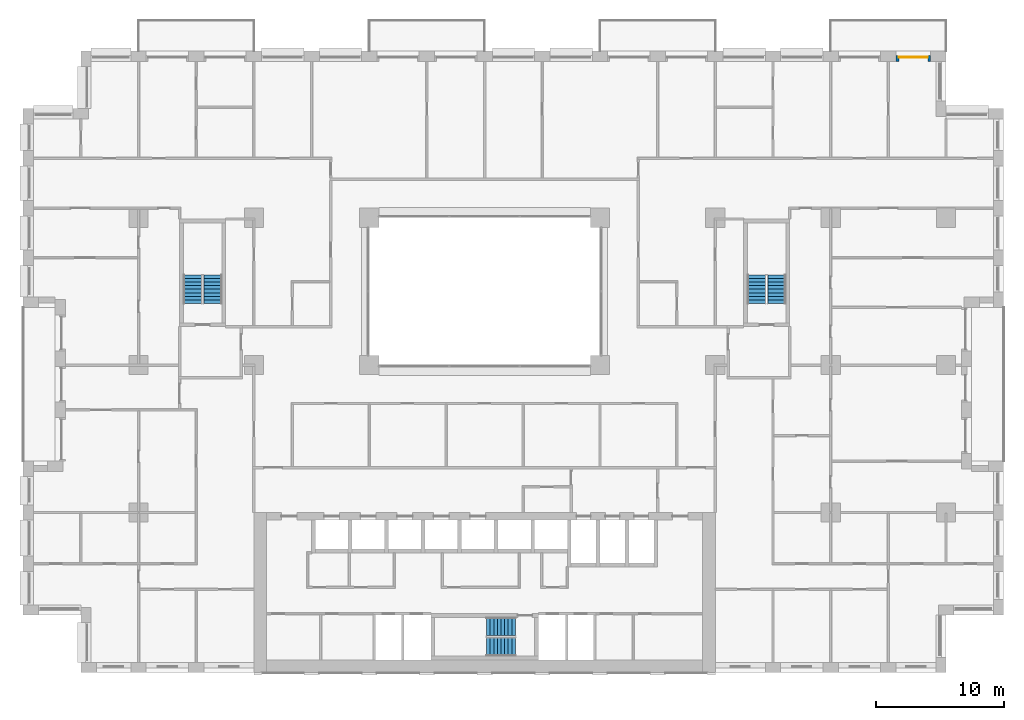
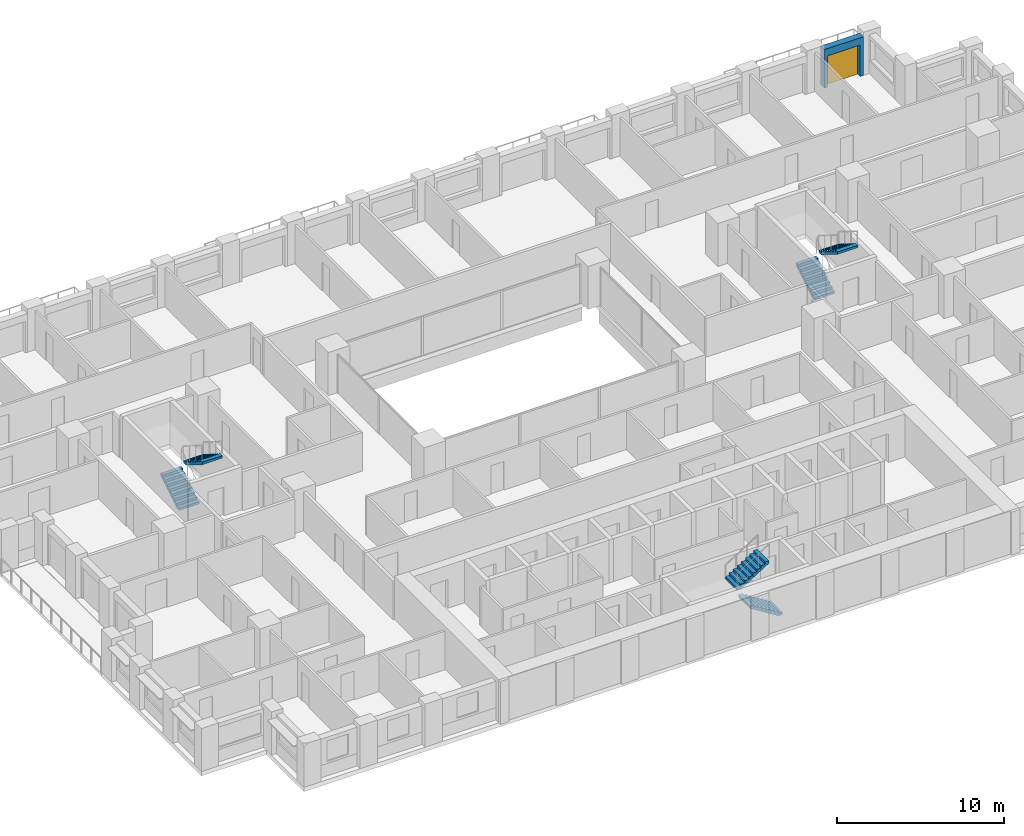
# One storey, part 17 of 19: 6 stair flights, 1 door, 1 wall, 1 opening, 3 elements without a shape of their own.
"""IFC4 building model written with IfcOpenShell, lengths in metres."""

from ifc_helpers import new_model, si_unit, direction, frame, frame_2d, origin, place, context, subcontext, project, spatial, polyline, rectangle, outline, extrude, material, layer, layer_set, type_object, element, fill, aggregate, save


model = new_model("IFC4")

# Units and contexts
model_context = context("Model", 3, precision=1e-05, world=origin(), true_north=direction((0.0, 1.0)))
body_context = subcontext(model_context, "Body", "Model", "MODEL_VIEW")
ifc_project = project(units=[si_unit("LENGTHUNIT", "METRE"), si_unit("AREAUNIT", "SQUARE_METRE"), si_unit("VOLUMEUNIT", "CUBIC_METRE"), si_unit("PLANEANGLEUNIT", "RADIAN"), si_unit("MASSUNIT", "GRAM", prefix="KILO")], contexts=[model_context])

# Site, building, storey
site_placement = place(None, origin())
site = spatial("IfcSite", under=ifc_project, at=site_placement, CompositionType="ELEMENT")
building_placement = place(site_placement, origin())
building = spatial("IfcBuilding", under=site, at=building_placement, Name="Brigalow Station Residences", CompositionType="ELEMENT")
storey_placement = place(building_placement, frame((0.0, 0.0, 22.64990234375)))
storey = spatial("IfcBuildingStorey", under=building, at=storey_placement, Name="L05", CompositionType="ELEMENT", Elevation=22.64990234375)

# Wall, opening, door
ifc_material_1 = material(Name="Clay brick masonry", Category="masonry")
ifc_layer = layer(ifc_material_1, 0.449951171875)
ifc_layer_set = layer_set([ifc_layer], Name="BRICK INFILL WALL 450")
wall_type = type_object("IfcWallType", Name="BRICK INFILL WALL 450", PredefinedType="SOLIDWALL", material=ifc_layer_set)
wall_placement = place(storey_placement, frame((70.800048828125, 47.925048828125, 0.0), z_axis=(0.0, 0.0, 1.0), x_axis=(-1.0, 0.0, 0.0)))
wall = element("IfcWall", 1, at=wall_placement, inside=storey, type_object=wall_type, Name="L05/ewall/W-L05-25", PredefinedType="SOLIDWALL", context=body_context, shape_type="SweptSolid", body=[
    extrude(rectangle(XDim=2.699951171875, YDim=0.449951171875, at=frame_2d((1.35009765625, 0.0))), origin(), (0.0, 0.0, 1.0), 2.830078125),
])
opening_placement = place(wall_placement, frame((0.22509765625, 0.0, 0.0)))
opening = element("IfcOpeningElement", 2, at=opening_placement, cuts=wall, Name="Opening D-B2250", PredefinedType="OPENING", context=body_context, shape_type="SweptSolid", body=[
    extrude(rectangle(XDim=2.25, YDim=2.300048828125, at=frame_2d((1.125, 1.14990234375))), frame((0.0, 0.23486328125, 0.0), z_axis=(0.0, -1.0, 0.0), x_axis=(1.0, 0.0, 0.0)), (0.0, 0.0, 1.0), 0.469970703125),
])
ifc_material_2 = material(Name="Anodised aluminium frame with double glazing", Category="aluminium")
door_type = type_object("IfcDoorType", Name="BALCONY SLIDING DOOR 2250x2300", OperationType="SLIDING_TO_LEFT", PredefinedType="DOOR", material=ifc_material_2)
door_placement = place(opening_placement, origin())
door = element("IfcDoor", 3, at=door_placement, inside=storey, type_object=door_type, Name="L05/balcony-door/W-L05-25", OperationType="SLIDING_TO_LEFT", OverallHeight=2.300048828125, OverallWidth=2.25, PredefinedType="DOOR", context=body_context, shape_type="SweptSolid", body=[
    extrude(rectangle(XDim=2.25, YDim=2.300048828125, at=frame_2d((1.125, 1.14990234375))), frame((0.0, -0.06982421875, 0.0), z_axis=(0.0, -1.0, 0.0), x_axis=(1.0, 0.0, 0.0)), (0.0, 0.0, 1.0), 0.050048828125),
])
fill(opening, door)

# Stair, stair flights
ifc_material_3 = material(Name="Concrete C50", Category="concrete")
stair_type = type_object("IfcStairType", Name="EXIT STAIR 1400 2 FLIGHT", PredefinedType="HALF_TURN_STAIR", material=ifc_material_3)
stair_1_placement = place(storey_placement, origin())
stair_1 = element("IfcStair", 4, at=stair_1_placement, inside=storey, type_object=stair_type, Name="EXIT STAIR S2 L05", PredefinedType="HALF_TURN_STAIR")
ifc_material_4 = material(Name="Concrete C50", Category="concrete")
stair_flight_type = type_object("IfcStairFlightType", Name="STAIR FLIGHT 1400", PredefinedType="STRAIGHT", material=ifc_material_4)
stair_flight_1_placement = place(storey_placement, frame((38.39990234375, 2.0, 0.0), z_axis=(0.0, 0.0, 1.0), x_axis=(-1.0, 0.0, 0.0)))
stair_flight_1 = element("IfcStairFlight", 5, at=stair_flight_1_placement, type_object=stair_flight_type, Name="ST-2 flight 1", NumberOfRisers=9, NumberOfTreads=8, PredefinedType="STRAIGHT", RiserHeight=0.175, TreadLength=0.28, context=body_context, shape_type="SweptSolid", body=[
    extrude(outline(polyline([(0.0, 0.0), (0.0, 0.175048828125), (0.280029296875, 0.175048828125), (0.280029296875, 0.35009765625), (0.56005859375, 0.35009765625), (0.56005859375, 0.52490234375), (0.840087890625, 0.52490234375), (0.840087890625, 0.699951171875), (1.1201171875, 0.699951171875), (1.1201171875, 0.875), (1.39990234375, 0.875), (1.39990234375, 1.050048828125), (1.679931640625, 1.050048828125), (1.679931640625, 1.22509765625), (1.9599609375, 1.22509765625), (1.9599609375, 1.39990234375), (2.239990234375, 1.39990234375), (2.239990234375, 1.574951171875), (2.239990234375, 1.22314453125), (0.28271484375, 0.0), (0.0, 0.0)])), frame((0.0, 0.699951171875, 0.0), z_axis=(0.0, -1.0, 0.0), x_axis=(1.0, 0.0, 0.0)), (0.0, 0.0, 1.0), 1.39990234375),
])
stair_flight_2_placement = place(storey_placement, frame((36.159912109375, 3.60009765625, 1.5751953125), z_axis=(0.0, 0.0, 1.0), x_axis=(1.0, 0.0, 0.0)))
stair_flight_2 = element("IfcStairFlight", 6, at=stair_flight_2_placement, type_object=stair_flight_type, Name="ST-2 flight 2", NumberOfRisers=9, NumberOfTreads=8, PredefinedType="STRAIGHT", RiserHeight=0.175, TreadLength=0.28, context=body_context, shape_type="SweptSolid", body=[
    extrude(outline(polyline([(0.0, 0.0), (0.0, 0.175048828125), (0.280029296875, 0.175048828125), (0.280029296875, 0.35009765625), (0.56005859375, 0.35009765625), (0.56005859375, 0.52490234375), (0.840087890625, 0.52490234375), (0.840087890625, 0.699951171875), (1.1201171875, 0.699951171875), (1.1201171875, 0.875), (1.39990234375, 0.875), (1.39990234375, 1.050048828125), (1.679931640625, 1.050048828125), (1.679931640625, 1.22509765625), (1.9599609375, 1.22509765625), (1.9599609375, 1.39990234375), (2.239990234375, 1.39990234375), (2.239990234375, 1.574951171875), (2.239990234375, 1.22314453125), (0.28271484375, 0.0), (0.0, 0.0)])), frame((0.0, 0.699951171875, 0.0), z_axis=(0.0, -1.0, 0.0), x_axis=(1.0, 0.0, 0.0)), (0.0, 0.0, 1.0), 1.39990234375),
])
aggregate(stair_1, [stair_flight_1, stair_flight_2])

stair_2_placement = place(storey_placement, origin())
stair_2 = element("IfcStair", 7, at=stair_2_placement, inside=storey, type_object=stair_type, Name="EXIT STAIR S1 L05", PredefinedType="HALF_TURN_STAIR")
stair_flight_3_placement = place(storey_placement, frame((13.199951171875, 28.800048828125, 0.0), z_axis=(0.0, 0.0, 1.0), x_axis=(0.0, 1.0, 0.0)))
stair_flight_3 = element("IfcStairFlight", 8, at=stair_flight_3_placement, type_object=stair_flight_type, Name="ST-1 flight 1", NumberOfRisers=9, NumberOfTreads=8, PredefinedType="STRAIGHT", RiserHeight=0.175, TreadLength=0.28, context=body_context, shape_type="SweptSolid", body=[
    extrude(outline(polyline([(0.0, 0.0), (0.0, 0.175048828125), (0.280029296875, 0.175048828125), (0.280029296875, 0.35009765625), (0.56005859375, 0.35009765625), (0.56005859375, 0.52490234375), (0.840087890625, 0.52490234375), (0.840087890625, 0.699951171875), (1.1201171875, 0.699951171875), (1.1201171875, 0.875), (1.39990234375, 0.875), (1.39990234375, 1.050048828125), (1.679931640625, 1.050048828125), (1.679931640625, 1.22509765625), (1.9599609375, 1.22509765625), (1.9599609375, 1.39990234375), (2.239990234375, 1.39990234375), (2.239990234375, 1.574951171875), (2.239990234375, 1.22314453125), (0.28271484375, 0.0), (0.0, 0.0)])), frame((0.0, 0.699951171875, 0.0), z_axis=(0.0, -1.0, 0.0), x_axis=(1.0, 0.0, 0.0)), (0.0, 0.0, 1.0), 1.39990234375),
])
stair_flight_4_placement = place(storey_placement, frame((14.800048828125, 31.0400390625, 1.5751953125), z_axis=(0.0, 0.0, 1.0), x_axis=(0.0, -1.0, 0.0)))
stair_flight_4 = element("IfcStairFlight", 9, at=stair_flight_4_placement, type_object=stair_flight_type, Name="ST-1 flight 2", NumberOfRisers=9, NumberOfTreads=8, PredefinedType="STRAIGHT", RiserHeight=0.175, TreadLength=0.28, context=body_context, shape_type="SweptSolid", body=[
    extrude(outline(polyline([(0.0, 0.0), (0.0, 0.175048828125), (0.280029296875, 0.175048828125), (0.280029296875, 0.35009765625), (0.56005859375, 0.35009765625), (0.56005859375, 0.52490234375), (0.840087890625, 0.52490234375), (0.840087890625, 0.699951171875), (1.1201171875, 0.699951171875), (1.1201171875, 0.875), (1.39990234375, 0.875), (1.39990234375, 1.050048828125), (1.679931640625, 1.050048828125), (1.679931640625, 1.22509765625), (1.9599609375, 1.22509765625), (1.9599609375, 1.39990234375), (2.239990234375, 1.39990234375), (2.239990234375, 1.574951171875), (2.239990234375, 1.22314453125), (0.28271484375, 0.0), (0.0, 0.0)])), frame((0.0, 0.699951171875, 0.0), z_axis=(0.0, -1.0, 0.0), x_axis=(1.0, 0.0, 0.0)), (0.0, 0.0, 1.0), 1.39990234375),
])
aggregate(stair_2, [stair_flight_3, stair_flight_4])

stair_3_placement = place(storey_placement, origin())
stair_3 = element("IfcStair", 10, at=stair_3_placement, inside=storey, type_object=stair_type, Name="EXIT STAIR S3 L05", PredefinedType="HALF_TURN_STAIR")
stair_flight_5_placement = place(storey_placement, frame((57.199951171875, 28.800048828125, 0.0), z_axis=(0.0, 0.0, 1.0), x_axis=(0.0, 1.0, 0.0)))
stair_flight_5 = element("IfcStairFlight", 11, at=stair_flight_5_placement, type_object=stair_flight_type, Name="ST-3 flight 1", NumberOfRisers=9, NumberOfTreads=8, PredefinedType="STRAIGHT", RiserHeight=0.175, TreadLength=0.28, context=body_context, shape_type="SweptSolid", body=[
    extrude(outline(polyline([(0.0, 0.0), (0.0, 0.175048828125), (0.280029296875, 0.175048828125), (0.280029296875, 0.35009765625), (0.56005859375, 0.35009765625), (0.56005859375, 0.52490234375), (0.840087890625, 0.52490234375), (0.840087890625, 0.699951171875), (1.1201171875, 0.699951171875), (1.1201171875, 0.875), (1.39990234375, 0.875), (1.39990234375, 1.050048828125), (1.679931640625, 1.050048828125), (1.679931640625, 1.22509765625), (1.9599609375, 1.22509765625), (1.9599609375, 1.39990234375), (2.239990234375, 1.39990234375), (2.239990234375, 1.574951171875), (2.239990234375, 1.22314453125), (0.28271484375, 0.0), (0.0, 0.0)])), frame((0.0, 0.699951171875, 0.0), z_axis=(0.0, -1.0, 0.0), x_axis=(1.0, 0.0, 0.0)), (0.0, 0.0, 1.0), 1.39990234375),
])
stair_flight_6_placement = place(storey_placement, frame((58.800048828125, 31.0400390625, 1.5751953125), z_axis=(0.0, 0.0, 1.0), x_axis=(0.0, -1.0, 0.0)))
stair_flight_6 = element("IfcStairFlight", 12, at=stair_flight_6_placement, type_object=stair_flight_type, Name="ST-3 flight 2", NumberOfRisers=9, NumberOfTreads=8, PredefinedType="STRAIGHT", RiserHeight=0.175, TreadLength=0.28, context=body_context, shape_type="SweptSolid", body=[
    extrude(outline(polyline([(0.0, 0.0), (0.0, 0.175048828125), (0.280029296875, 0.175048828125), (0.280029296875, 0.35009765625), (0.56005859375, 0.35009765625), (0.56005859375, 0.52490234375), (0.840087890625, 0.52490234375), (0.840087890625, 0.699951171875), (1.1201171875, 0.699951171875), (1.1201171875, 0.875), (1.39990234375, 0.875), (1.39990234375, 1.050048828125), (1.679931640625, 1.050048828125), (1.679931640625, 1.22509765625), (1.9599609375, 1.22509765625), (1.9599609375, 1.39990234375), (2.239990234375, 1.39990234375), (2.239990234375, 1.574951171875), (2.239990234375, 1.22314453125), (0.28271484375, 0.0), (0.0, 0.0)])), frame((0.0, 0.699951171875, 0.0), z_axis=(0.0, -1.0, 0.0), x_axis=(1.0, 0.0, 0.0)), (0.0, 0.0, 1.0), 1.39990234375),
])
aggregate(stair_3, [stair_flight_5, stair_flight_6])

save(model, "model.ifc")
